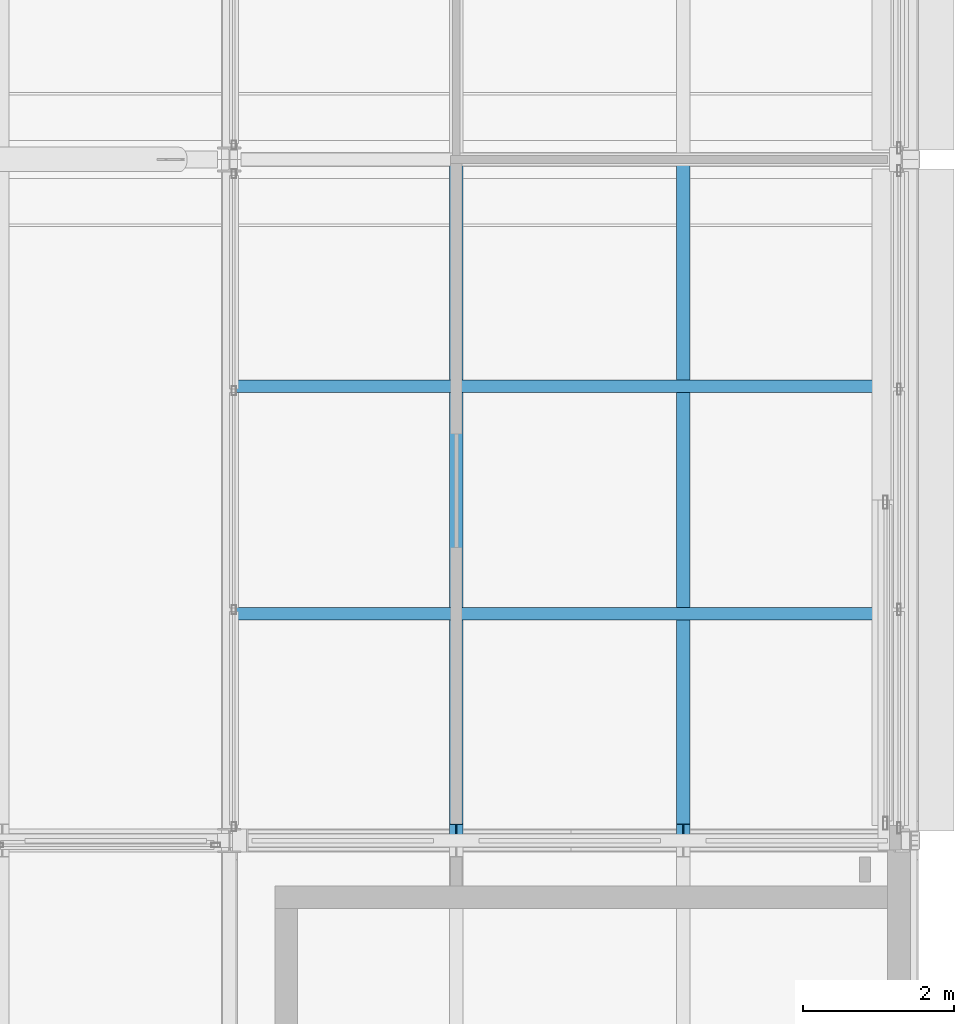
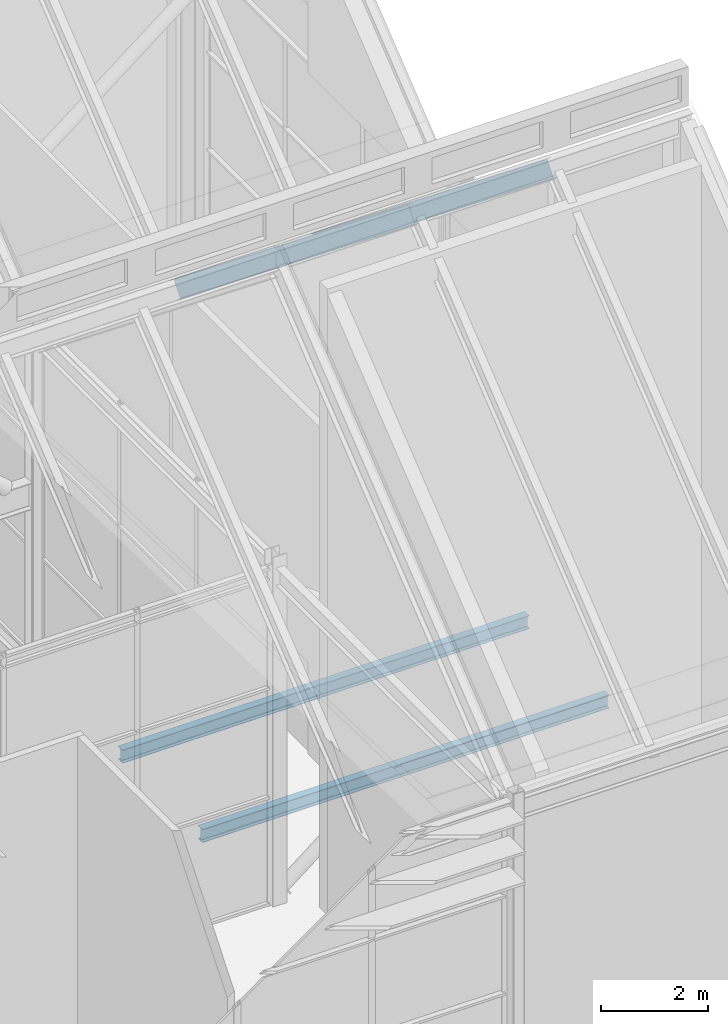
# One storey, part 70 of 144: 2 beams, 2 members.
"""IFC4 building model written with IfcOpenShell, lengths in metres."""

from ifc_helpers import new_model, si_unit, direction, frame, origin, origin_2d, place, context, subcontext, project, spatial, i_section, extrude, material, material_profile, profile_set, type_object, element, save


model = new_model("IFC4")

# Units and contexts
model_context = context("Model", 3, precision=1e-05, world=origin(), true_north=direction((0.0, 1.0)))
body_context = subcontext(model_context, "Body", "Model", "MODEL_VIEW")
ifc_project = project(units=[si_unit("LENGTHUNIT", "METRE"), si_unit("AREAUNIT", "SQUARE_METRE"), si_unit("VOLUMEUNIT", "CUBIC_METRE"), si_unit("PLANEANGLEUNIT", "RADIAN"), si_unit("MASSUNIT", "GRAM", prefix="KILO")], contexts=[model_context])

# Site, building, storey
site_placement = place(None, origin())
site = spatial("IfcSite", under=ifc_project, at=site_placement, CompositionType="ELEMENT")
building_placement = place(site_placement, origin())
building = spatial("IfcBuilding", under=site, at=building_placement, Name="Shorebreak Coast Museum", CompositionType="ELEMENT")
storey_placement = place(building_placement, frame((0.0, 0.0, 36.0)))
storey = spatial("IfcBuildingStorey", under=building, at=storey_placement, Name="L06", CompositionType="ELEMENT", Elevation=36.0)

# Beams
ifc_material_1 = material(Name="Steel Grade 300", Category="steel")
ifc_material_profile_1 = material_profile(ifc_material_1, i_section(OverallWidth=0.1650390625, OverallDepth=0.303955078125, WebThickness=0.006103515625, FlangeThickness=0.01025390625, FilletRadius=0.011474609375, at=origin_2d()), Name="310UB40.4")
ifc_profile_set_1 = profile_set([ifc_material_profile_1], Name="Steel Grade 300")
beam_type = type_object("IfcBeamType", Name="Floor joist 310UB40.4", PredefinedType="JOIST", material=ifc_profile_set_1)
for number, where, z_axis, x_axis, name in (
    (1, (108.095458984375, 66.0, -0.326904296875), (1.0, 0.0, 0.0), (0.0, 1.0, 0.0), "Floor joist L06 bay 13H at 3000 mm"),
    (2, (108.095458984375, 69.0, -0.326904296875), (1.0, 0.0, 0.0), (0.0, 1.0, 0.0), "Floor joist L06 bay 13H at 6000 mm"),
):
    element("IfcBeam", number, at=place(storey_placement, frame(where, z_axis=z_axis, x_axis=x_axis)), inside=storey, type_object=beam_type, Name=name, PredefinedType="JOIST", context=body_context, shape_type="SweptSolid", body=[
        extrude(i_section(OverallWidth=0.1650390625, OverallDepth=0.303955078125, WebThickness=0.006103515625, FlangeThickness=0.01025390625, FilletRadius=0.011474609375, at=origin_2d()), origin(), (0.0, 0.0, 1.0), 8.8154296875),
    ])

# Members
ifc_material_2 = material(Name="Steel Grade 300", Category="steel")
ifc_material_profile_2 = material_profile(ifc_material_2, i_section(OverallWidth=0.177978515625, OverallDepth=0.402587890625, WebThickness=0.007568359375, FlangeThickness=0.010986328125, FilletRadius=0.011474609375, at=origin_2d()), Name="410UB53.7")
ifc_profile_set_2 = profile_set([ifc_material_profile_2], Name="Steel Grade 300")
member_type = type_object("IfcMemberType", Name="Fold rafter 410UB53.7", PredefinedType="RAFTER", material=ifc_profile_set_2)
for number, where, z_axis, x_axis, name in (
    (3, (111.0, 63.094970703125, 14.610107421875), (0.0, 0.780866698312, -0.624697686459), (-1.0, 0.0, 0.0), "Fold rafter FOLD-X line 2 20"),
    (4, (114.0, 63.094970703125, 14.610107421875), (0.0, 0.780866698312, -0.624697686459), (-1.0, 0.0, 0.0), "Fold rafter FOLD-X line 2 21"),
):
    element("IfcMember", number, at=place(storey_placement, frame(where, z_axis=z_axis, x_axis=x_axis)), inside=storey, type_object=member_type, Name=name, PredefinedType="RAFTER", context=body_context, shape_type="SweptSolid", body=[
        extrude(i_section(OverallWidth=0.177978515625, OverallDepth=0.402587890625, WebThickness=0.007568359375, FlangeThickness=0.010986328125, FilletRadius=0.011474609375, at=origin_2d()), origin(), (0.0, 0.0, 1.0), 11.282470703125),
    ])

save(model, "model.ifc")
